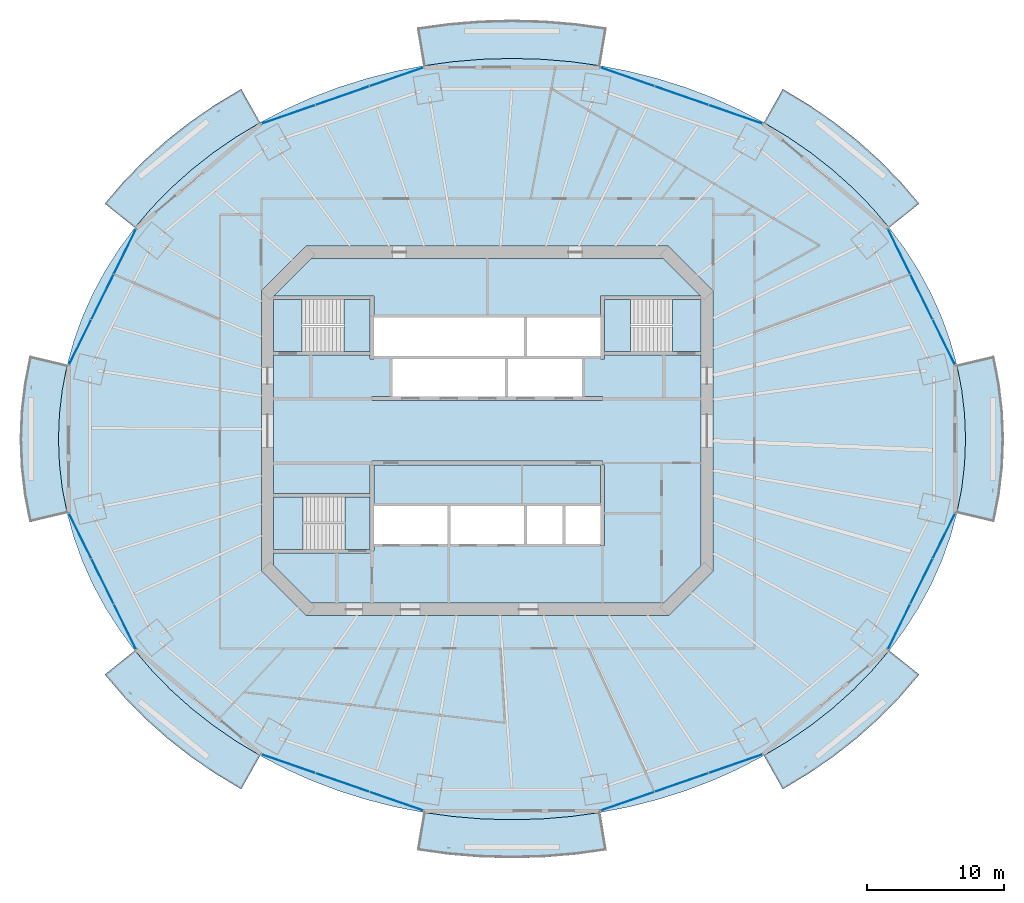
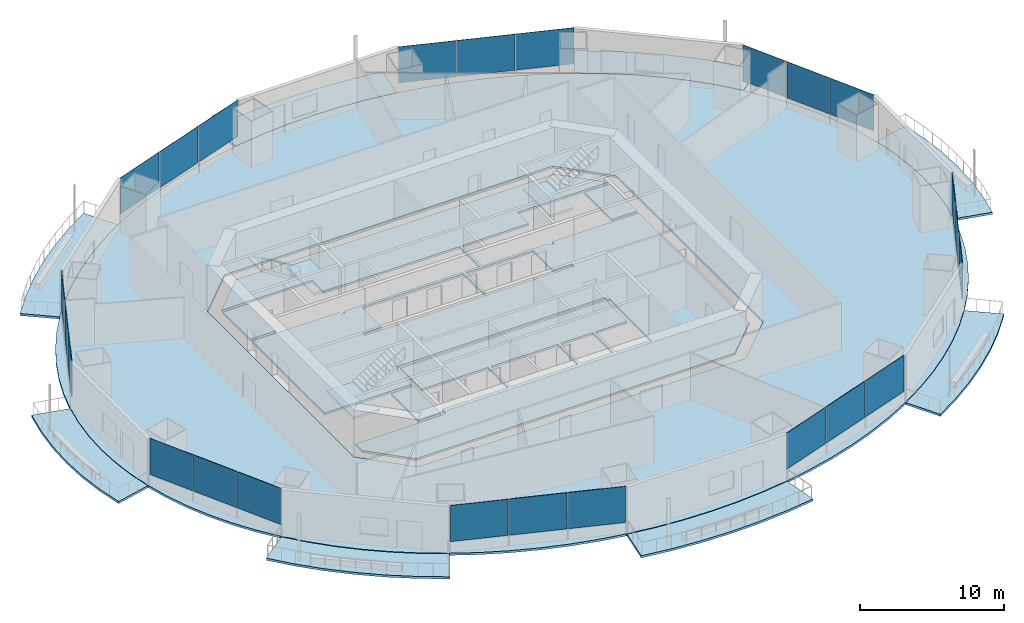
# One storey, part 11 of 21: 24 plates, 16 slabs, 11 elements without a shape of their own.
"""IFC4 building model written with IfcOpenShell, lengths in metres."""

from ifc_helpers import new_model, si_unit, direction, frame, origin, origin_2d, place, context, subcontext, project, spatial, polyline, rectangle, outline, extrude, material, layer, layer_set, type_object, element, aggregate, save


model = new_model("IFC4")

# Units and contexts
model_context = context("Model", 3, precision=1e-05, world=origin(), true_north=direction((0.0, 1.0)))
body_context = subcontext(model_context, "Body", "Model", "MODEL_VIEW")
ifc_project = project(units=[si_unit("LENGTHUNIT", "METRE"), si_unit("AREAUNIT", "SQUARE_METRE"), si_unit("VOLUMEUNIT", "CUBIC_METRE"), si_unit("PLANEANGLEUNIT", "RADIAN"), si_unit("MASSUNIT", "GRAM", prefix="KILO")], contexts=[model_context])

# Site, building, storey
site_placement = place(None, origin())
site = spatial("IfcSite", under=ifc_project, at=site_placement, CompositionType="ELEMENT")
building_placement = place(site_placement, origin())
building = spatial("IfcBuilding", under=site, at=building_placement, Name="Marenthal Gate Tower", CompositionType="ELEMENT")
storey_placement = place(building_placement, frame((0.0, 0.0, 169.35009765625)))
storey = spatial("IfcBuildingStorey", under=building, at=storey_placement, Name="L36", CompositionType="ELEMENT", Elevation=169.35009765625)

# Slabs
ifc_material_1 = material(Name="Concrete 40 MPa", Category="concrete")
ifc_layer_1 = layer(ifc_material_1, 0.179931640625)
ifc_layer_set_1 = layer_set([ifc_layer_1], Name="Balcony deck 180")
slab_type_1 = type_object("IfcSlabType", Name="Balcony deck 180", PredefinedType="USERDEFINED", material=ifc_layer_set_1)
slab_1_placement = place(storey_placement, frame((0.0, 0.0, -0.22021484375)))
element("IfcSlab", 1, at=slab_1_placement, inside=storey, type_object=slab_type_1, Name="Balcony deck L36 bay 2", ObjectType="BALCONY", PredefinedType="USERDEFINED", context=body_context, shape_type="SweptSolid", body=[
    extrude(outline(polyline([(29.25439453125, 14.7958984375), (27.99560546875, 16.27001953125), (26.625, 17.671875), (25.14794921875, 18.995361328125), (23.57080078125, 20.235107421875), (21.900634765625, 21.385498046875), (20.144287109375, 22.441650390625), (21.513916015625, 24.8837890625), (23.416748046875, 23.739501953125), (25.230712890625, 22.489990234375), (26.947998046875, 21.14013671875), (28.56103515625, 19.69482421875), (30.062255859375, 18.159423828125), (31.44482421875, 16.5400390625), (29.25439453125, 14.7958984375)])), origin(), (0.0, 0.0, 1.0), 0.18017578125),
])
slab_2_placement = place(storey_placement, frame((0.0, 0.0, -0.22021484375)))
element("IfcSlab", 2, at=slab_2_placement, inside=storey, type_object=slab_type_1, Name="Balcony deck L36 bay 4", ObjectType="BALCONY", PredefinedType="USERDEFINED", context=body_context, shape_type="SweptSolid", body=[
    extrude(outline(polyline([(8.24169921875, 26.57958984375), (6.10986328125, 26.875), (3.95947265625, 27.052734375), (1.800048828125, 27.112060546875), (-0.359619140625, 27.052734375), (-2.509765625, 26.875), (-4.6416015625, 26.57958984375), (-5.102783203125, 29.34130859375), (-2.8173828125, 29.657958984375), (-0.51318359375, 29.848388671875), (1.800048828125, 29.912109375), (4.11328125, 29.848388671875), (6.417236328125, 29.657958984375), (8.70263671875, 29.34130859375), (8.24169921875, 26.57958984375)])), origin(), (0.0, 0.0, 1.0), 0.18017578125),
])
slab_3_placement = place(storey_placement, frame((0.0, 0.0, -0.22021484375)))
element("IfcSlab", 3, at=slab_3_placement, inside=storey, type_object=slab_type_1, Name="Balcony deck L36 bay 6", ObjectType="BALCONY", PredefinedType="USERDEFINED", context=body_context, shape_type="SweptSolid", body=[
    extrude(outline(polyline([(-16.54443359375, 22.441650390625), (-18.30078125, 21.385498046875), (-19.970947265625, 20.235107421875), (-21.548095703125, 18.995361328125), (-23.02490234375, 17.671875), (-24.395751953125, 16.27001953125), (-25.654296875, 14.7958984375), (-27.844970703125, 16.5400390625), (-26.462158203125, 18.159423828125), (-24.9609375, 19.69482421875), (-23.34814453125, 21.14013671875), (-21.630615234375, 22.489990234375), (-19.816650390625, 23.739501953125), (-17.9140625, 24.8837890625), (-16.54443359375, 22.441650390625)])), origin(), (0.0, 0.0, 1.0), 0.18017578125),
])
slab_4_placement = place(storey_placement, frame((0.0, 0.0, -0.22021484375)))
element("IfcSlab", 4, at=slab_4_placement, inside=storey, type_object=slab_type_1, Name="Balcony deck L36 bay 8", ObjectType="BALCONY", PredefinedType="USERDEFINED", context=body_context, shape_type="SweptSolid", body=[
    extrude(outline(polyline([(-30.58447265625, 4.806396484375), (-30.9365234375, 3.01708984375), (-31.148193359375, 1.21240234375), (-31.218994140625, -0.60009765625), (-31.148193359375, -2.41259765625), (-30.9365234375, -4.217041015625), (-30.58447265625, -6.00634765625), (-33.30908203125, -6.652099609375), (-33.70263671875, -4.651123046875), (-33.939697265625, -2.630615234375), (-34.01904296875, -0.60009765625), (-33.939697265625, 1.430419921875), (-33.70263671875, 3.450927734375), (-33.30908203125, 5.451904296875), (-30.58447265625, 4.806396484375)])), origin(), (0.0, 0.0, 1.0), 0.18017578125),
])
slab_5_placement = place(storey_placement, frame((0.0, 0.0, -0.22021484375)))
element("IfcSlab", 5, at=slab_5_placement, inside=storey, type_object=slab_type_1, Name="Balcony deck L36 bay 10", ObjectType="BALCONY", PredefinedType="USERDEFINED", context=body_context, shape_type="SweptSolid", body=[
    extrude(outline(polyline([(-25.654296875, -15.99609375), (-24.395751953125, -17.469970703125), (-23.02490234375, -18.871826171875), (-21.548095703125, -20.1953125), (-19.970947265625, -21.43505859375), (-18.30078125, -22.58544921875), (-16.54443359375, -23.6416015625), (-17.9140625, -26.083984375), (-19.816650390625, -24.939453125), (-21.630615234375, -23.68994140625), (-23.34814453125, -22.340087890625), (-24.9609375, -20.894775390625), (-26.462158203125, -19.359375), (-27.844970703125, -17.739990234375), (-25.654296875, -15.99609375)])), origin(), (0.0, 0.0, 1.0), 0.18017578125),
])
slab_6_placement = place(storey_placement, frame((0.0, 0.0, -0.22021484375)))
element("IfcSlab", 6, at=slab_6_placement, inside=storey, type_object=slab_type_1, Name="Balcony deck L36 bay 12", ObjectType="BALCONY", PredefinedType="USERDEFINED", context=body_context, shape_type="SweptSolid", body=[
    extrude(outline(polyline([(-4.6416015625, -27.779541015625), (-2.509765625, -28.074951171875), (-0.359619140625, -28.252685546875), (1.800048828125, -28.31201171875), (3.95947265625, -28.252685546875), (6.10986328125, -28.074951171875), (8.24169921875, -27.779541015625), (8.70263671875, -30.541259765625), (6.417236328125, -30.85791015625), (4.11328125, -31.048583984375), (1.800048828125, -31.112060546875), (-0.51318359375, -31.048583984375), (-2.8173828125, -30.85791015625), (-5.102783203125, -30.541259765625), (-4.6416015625, -27.779541015625)])), origin(), (0.0, 0.0, 1.0), 0.18017578125),
])
slab_7_placement = place(storey_placement, frame((0.0, 0.0, -0.22021484375)))
element("IfcSlab", 7, at=slab_7_placement, inside=storey, type_object=slab_type_1, Name="Balcony deck L36 bay 14", ObjectType="BALCONY", PredefinedType="USERDEFINED", context=body_context, shape_type="SweptSolid", body=[
    extrude(outline(polyline([(20.144287109375, -23.6416015625), (21.900634765625, -22.58544921875), (23.57080078125, -21.43505859375), (25.14794921875, -20.1953125), (26.625, -18.871826171875), (27.99560546875, -17.469970703125), (29.25439453125, -15.99609375), (31.44482421875, -17.739990234375), (30.062255859375, -19.359375), (28.56103515625, -20.894775390625), (26.947998046875, -22.340087890625), (25.230712890625, -23.68994140625), (23.416748046875, -24.939453125), (21.513916015625, -26.083984375), (20.144287109375, -23.6416015625)])), origin(), (0.0, 0.0, 1.0), 0.18017578125),
])
slab_8_placement = place(storey_placement, frame((0.0, 0.0, -0.22021484375)))
element("IfcSlab", 8, at=slab_8_placement, inside=storey, type_object=slab_type_1, Name="Balcony deck L36 bay 16", ObjectType="BALCONY", PredefinedType="USERDEFINED", context=body_context, shape_type="SweptSolid", body=[
    extrude(outline(polyline([(34.1845703125, -6.00634765625), (34.53662109375, -4.217041015625), (34.748291015625, -2.41259765625), (34.819091796875, -0.60009765625), (34.748291015625, 1.21240234375), (34.53662109375, 3.01708984375), (34.1845703125, 4.806396484375), (36.908935546875, 5.451904296875), (37.302734375, 3.450927734375), (37.539794921875, 1.430419921875), (37.618896484375, -0.60009765625), (37.539794921875, -2.630615234375), (37.302734375, -4.651123046875), (36.908935546875, -6.652099609375), (34.1845703125, -6.00634765625)])), origin(), (0.0, 0.0, 1.0), 0.18017578125),
])
ifc_material_2 = material(Name="Concrete 50 MPa", Category="concrete")
ifc_layer_2 = layer(ifc_material_2, 0.179931640625)
ifc_layer_set_2 = layer_set([ifc_layer_2], Name="Core floor slab 180")
slab_type_2 = type_object("IfcSlabType", Name="Core floor slab 180", PredefinedType="FLOOR", material=ifc_layer_set_2)
slab_9_placement = place(storey_placement, frame((0.0, 0.0, -0.18017578125)))
element("IfcSlab", 9, at=slab_9_placement, inside=storey, type_object=slab_type_2, Name="Core floor L36", PredefinedType="FLOOR", context=body_context, shape_type="SweptSolid", body=[
    extrude(outline(polyline([(12.813720703125, -12.550048828125), (-12.813720703125, -12.550048828125), (-15.550048828125, -9.813720703125), (-15.550048828125, -8.875), (-8.550048828125, -8.875), (-8.550048828125, -8.75), (-8.25, -8.75), (-8.25, -8.239990234375), (-5.60009765625, -8.239990234375), (-2.909912109375, -8.239990234375), (-2.909912109375, -5.4599609375), (-5.60009765625, -5.4599609375), (-8.25, -5.4599609375), (-8.25, -2.5), (8.25, -2.5), (8.25, -5.4599609375), (5.7099609375, -5.4599609375), (5.7099609375, -8.239990234375), (8.25, -8.239990234375), (8.25, -8.35009765625), (8.550048828125, -8.35009765625), (8.550048828125, -2.5), (8.39990234375, -2.5), (8.39990234375, -2.199951171875), (-8.39990234375, -2.199951171875), (-8.39990234375, -2.5), (-8.550048828125, -2.5), (-8.550048828125, -4.574951171875), (-15.550048828125, -4.574951171875), (-15.550048828125, 5.52490234375), (-8.550048828125, 5.52490234375), (-8.550048828125, 5.239990234375), (-8.25, 5.239990234375), (-8.25, 5.4599609375), (-5.60009765625, 5.4599609375), (-2.800048828125, 5.4599609375), (0.0, 5.4599609375), (2.68994140625, 5.4599609375), (2.68994140625, 8.239990234375), (0.0, 8.239990234375), (-2.800048828125, 8.239990234375), (-5.60009765625, 8.239990234375), (-8.25, 8.239990234375), (-8.25, 8.35009765625), (-8.25, 9.824951171875), (-8.550048828125, 9.824951171875), (-15.53857421875, 9.824951171875), (-12.813720703125, 12.550048828125), (12.813720703125, 12.550048828125), (15.53857421875, 9.824951171875), (8.550048828125, 9.824951171875), (8.25, 9.824951171875), (8.25, 8.35009765625), (8.25, 8.239990234375), (5.60009765625, 8.239990234375), (2.909912109375, 8.239990234375), (2.909912109375, 5.4599609375), (5.60009765625, 5.4599609375), (8.25, 5.4599609375), (8.25, 5.239990234375), (8.550048828125, 5.239990234375), (8.550048828125, 5.52490234375), (15.550048828125, 5.52490234375), (15.550048828125, -9.813720703125), (12.813720703125, -12.550048828125)]), holes=[polyline([(2.68994140625, -8.239990234375), (2.68994140625, -5.4599609375), (0.0, -5.4599609375), (-2.68994140625, -5.4599609375), (-2.68994140625, -8.239990234375), (0.0, -8.239990234375), (2.68994140625, -8.239990234375)]), polyline([(-6.889892578125, 5.239990234375), (-6.889892578125, 2.5), (-8.39990234375, 2.5), (-8.39990234375, 2.199951171875), (8.39990234375, 2.199951171875), (8.39990234375, 2.5), (6.889892578125, 2.5), (6.889892578125, 5.239990234375), (4.199951171875, 5.239990234375), (1.510009765625, 5.239990234375), (1.510009765625, 2.5), (1.2900390625, 2.5), (1.2900390625, 5.239990234375), (-1.39990234375, 5.239990234375), (-4.199951171875, 5.239990234375), (-6.889892578125, 5.239990234375)]), polyline([(5.489990234375, -8.239990234375), (5.489990234375, -5.4599609375), (2.909912109375, -5.4599609375), (2.909912109375, -8.239990234375), (5.489990234375, -8.239990234375)])]), origin(), (0.0, 0.0, 1.0), 0.18017578125),
])
slab_10_placement = place(storey_placement, frame((0.0, 0.0, -0.18017578125)))
element("IfcSlab", 10, at=slab_10_placement, inside=storey, type_object=slab_type_2, Name="Core floor L36", PredefinedType="FLOOR", context=body_context, shape_type="SweptSolid", body=[
    extrude(outline(polyline([(15.550048828125, 5.77490234375), (13.5, 5.77490234375), (13.5, 9.574951171875), (15.550048828125, 9.574951171875), (15.550048828125, 5.77490234375)])), origin(), (0.0, 0.0, 1.0), 0.18017578125),
])
slab_11_placement = place(storey_placement, frame((0.0, 0.0, -0.18017578125)))
element("IfcSlab", 11, at=slab_11_placement, inside=storey, type_object=slab_type_2, Name="Core floor L36", PredefinedType="FLOOR", context=body_context, shape_type="SweptSolid", body=[
    extrude(outline(polyline([(-15.550048828125, 9.574951171875), (-13.5, 9.574951171875), (-13.5, 5.77490234375), (-15.550048828125, 5.77490234375), (-15.550048828125, 9.574951171875)])), origin(), (0.0, 0.0, 1.0), 0.18017578125),
])
slab_12_placement = place(storey_placement, frame((0.0, 0.0, -0.18017578125)))
element("IfcSlab", 12, at=slab_12_placement, inside=storey, type_object=slab_type_2, Name="Core floor L36", PredefinedType="FLOOR", context=body_context, shape_type="SweptSolid", body=[
    extrude(outline(polyline([(-8.550048828125, -8.625), (-10.35009765625, -8.625), (-10.35009765625, -4.824951171875), (-8.550048828125, -4.824951171875), (-8.550048828125, -8.625)])), origin(), (0.0, 0.0, 1.0), 0.18017578125),
])
ifc_material_3 = material(Name="Concrete 35 MPa", Category="concrete")
ifc_layer_3 = layer(ifc_material_3, 0.179931640625)
ifc_layer_set_3 = layer_set([ifc_layer_3], Name="Floor slab 180")
slab_type_3 = type_object("IfcSlabType", Name="Floor slab 180", PredefinedType="FLOOR", material=ifc_layer_set_3)
slab_13_placement = place(storey_placement, frame((0.0, 0.0, -0.18017578125)))
element("IfcSlab", 13, at=slab_13_placement, inside=storey, type_object=slab_type_3, Name="SL-L36-01", PredefinedType="FLOOR", context=body_context, shape_type="SweptSolid", body=[
    extrude(outline(polyline([(34.819091796875, -0.60009765625), (34.748291015625, 1.21240234375), (34.53662109375, 3.01708984375), (34.1845703125, 4.806396484375), (33.69384765625, 6.572509765625), (33.066650390625, 8.3076171875), (32.3056640625, 10.0048828125), (31.413818359375, 11.65673828125), (30.395263671875, 13.256103515625), (29.25439453125, 14.7958984375), (27.99560546875, 16.27001953125), (26.625, 17.671875), (25.14794921875, 18.995361328125), (23.57080078125, 20.235107421875), (21.900634765625, 21.385498046875), (20.144287109375, 22.441650390625), (18.3095703125, 23.3994140625), (16.40380859375, 24.254150390625), (14.435791015625, 25.00244140625), (12.41357421875, 25.641357421875), (10.345947265625, 26.167724609375), (8.24169921875, 26.57958984375), (6.10986328125, 26.875), (3.95947265625, 27.052734375), (1.800048828125, 27.112060546875), (-0.359619140625, 27.052734375), (-2.509765625, 26.875), (-4.6416015625, 26.57958984375), (-6.745849609375, 26.167724609375), (-8.813720703125, 25.641357421875), (-10.835693359375, 25.00244140625), (-12.803955078125, 24.254150390625), (-14.70947265625, 23.3994140625), (-16.54443359375, 22.441650390625), (-18.30078125, 21.385498046875), (-19.970947265625, 20.235107421875), (-21.548095703125, 18.995361328125), (-23.02490234375, 17.671875), (-24.395751953125, 16.27001953125), (-25.654296875, 14.7958984375), (-26.79541015625, 13.256103515625), (-27.813720703125, 11.65673828125), (-28.70556640625, 10.0048828125), (-29.466796875, 8.3076171875), (-30.093994140625, 6.572509765625), (-30.58447265625, 4.806396484375), (-30.9365234375, 3.01708984375), (-31.148193359375, 1.21240234375), (-31.218994140625, -0.60009765625), (-31.148193359375, -2.41259765625), (-30.9365234375, -4.217041015625), (-30.58447265625, -6.00634765625), (-30.093994140625, -7.7724609375), (-29.466796875, -9.5078125), (-28.70556640625, -11.204833984375), (-27.813720703125, -12.856689453125), (-26.79541015625, -14.4560546875), (-25.654296875, -15.99609375), (-24.395751953125, -17.469970703125), (-23.02490234375, -18.871826171875), (-21.548095703125, -20.1953125), (-19.970947265625, -21.43505859375), (-18.30078125, -22.58544921875), (-16.54443359375, -23.6416015625), (-14.70947265625, -24.599365234375), (-12.803955078125, -25.4541015625), (-10.835693359375, -26.202392578125), (-8.813720703125, -26.84130859375), (-6.745849609375, -27.36767578125), (-4.6416015625, -27.779541015625), (-2.509765625, -28.074951171875), (-0.359619140625, -28.252685546875), (1.800048828125, -28.31201171875), (3.95947265625, -28.252685546875), (6.10986328125, -28.074951171875), (8.24169921875, -27.779541015625), (10.345947265625, -27.36767578125), (12.41357421875, -26.84130859375), (14.435791015625, -26.202392578125), (16.40380859375, -25.4541015625), (18.3095703125, -24.599365234375), (20.144287109375, -23.6416015625), (21.900634765625, -22.58544921875), (23.57080078125, -21.43505859375), (25.14794921875, -20.1953125), (26.625, -18.871826171875), (27.99560546875, -17.469970703125), (29.25439453125, -15.99609375), (30.395263671875, -14.4560546875), (31.413818359375, -12.856689453125), (32.3056640625, -11.204833984375), (33.066650390625, -9.5078125), (33.69384765625, -7.7724609375), (34.1845703125, -6.00634765625), (34.53662109375, -4.217041015625), (34.748291015625, -2.41259765625), (34.819091796875, -0.60009765625)]), holes=[polyline([(13.186279296875, -13.449951171875), (16.449951171875, -10.186279296875), (16.449951171875, 10.186279296875), (13.186279296875, 13.449951171875), (-13.186279296875, 13.449951171875), (-16.449951171875, 10.186279296875), (-16.449951171875, -10.186279296875), (-13.186279296875, -13.449951171875), (13.186279296875, -13.449951171875)])]), origin(), (0.0, 0.0, 1.0), 0.18017578125),
])

# Curtain wall, plates
ifc_material_4 = material(Name="Aluminium and glass", Category="aluminium")
curtain_wall_type = type_object("IfcCurtainWallType", Name="Curtain wall typical mid", PredefinedType="NOTDEFINED", material=ifc_material_4)
curtain_wall_1_placement = place(storey_placement, origin())
curtain_wall_1 = element("IfcCurtainWall", 14, at=curtain_wall_1_placement, inside=storey, type_object=curtain_wall_type, Name="Curtain wall L36 bay 1", PredefinedType="NOTDEFINED")
ifc_material_5 = material(Name="Glass, laminated insulating unit", Category="glass")
ifc_layer_4 = layer(ifc_material_5, 0.030029296875)
ifc_layer_set_4 = layer_set([ifc_layer_4], Name="Glass panel 30 typical mid")
plate_type = type_object("IfcPlateType", Name="Glass panel 30 typical mid", PredefinedType="CURTAIN_PANEL", material=ifc_layer_set_4)
plate_1_placement = place(storey_placement, frame((33.2392578125, 6.45849609375, 0.89990234375), z_axis=(0.0, 0.0, 1.0), x_axis=(-0.442823615536, 0.896608747182, 0.0)))
plate_1 = element("IfcPlate", 15, at=plate_1_placement, type_object=plate_type, Name="Glass panel L36 bay 1.1", PredefinedType="CURTAIN_PANEL", context=body_context, shape_type="SweptSolid", body=[
    extrude(rectangle(XDim=3.617919921875, YDim=0.030029296875, at=origin_2d()), origin(), (0.0, 0.0, 1.0), 3.070068359375),
])
plate_2_placement = place(storey_placement, frame((31.610595703125, 9.756103515625, 0.89990234375), z_axis=(0.0, 0.0, 1.0), x_axis=(-0.442823615536, 0.896608747182, 0.0)))
plate_2 = element("IfcPlate", 16, at=plate_2_placement, type_object=plate_type, Name="Glass panel L36 bay 1.2", PredefinedType="CURTAIN_PANEL", context=body_context, shape_type="SweptSolid", body=[
    extrude(rectangle(XDim=3.617919921875, YDim=0.030029296875, at=origin_2d()), origin(), (0.0, 0.0, 1.0), 3.070068359375),
])
plate_3_placement = place(storey_placement, frame((29.982177734375, 13.0537109375, 0.89990234375), z_axis=(0.0, 0.0, 1.0), x_axis=(-0.442823615536, 0.896608747182, 0.0)))
plate_3 = element("IfcPlate", 17, at=plate_3_placement, type_object=plate_type, Name="Glass panel L36 bay 1.3", PredefinedType="CURTAIN_PANEL", context=body_context, shape_type="SweptSolid", body=[
    extrude(rectangle(XDim=3.617919921875, YDim=0.030029296875, at=origin_2d()), origin(), (0.0, 0.0, 1.0), 3.070068359375),
])
aggregate(curtain_wall_1, [plate_1, plate_2, plate_3])

curtain_wall_2_placement = place(storey_placement, origin())
curtain_wall_2 = element("IfcCurtainWall", 18, at=curtain_wall_2_placement, inside=storey, type_object=curtain_wall_type, Name="Curtain wall L36 bay 3", PredefinedType="NOTDEFINED")
plate_4_placement = place(storey_placement, frame((18.082275390625, 23.03515625, 0.89990234375), z_axis=(0.0, 0.0, 1.0), x_axis=(-0.944622987868, 0.328157600538, 0.0)))
plate_4 = element("IfcPlate", 19, at=plate_4_placement, type_object=plate_type, Name="Glass panel L36 bay 3.1", PredefinedType="CURTAIN_PANEL", context=body_context, shape_type="SweptSolid", body=[
    extrude(rectangle(XDim=4.10498046875, YDim=0.030029296875, at=origin_2d()), origin(), (0.0, 0.0, 1.0), 3.070068359375),
])
plate_5_placement = place(storey_placement, frame((14.14794921875, 24.40185546875, 0.89990234375), z_axis=(0.0, 0.0, 1.0), x_axis=(-0.944622987868, 0.328157600538, 0.0)))
plate_5 = element("IfcPlate", 20, at=plate_5_placement, type_object=plate_type, Name="Glass panel L36 bay 3.2", PredefinedType="CURTAIN_PANEL", context=body_context, shape_type="SweptSolid", body=[
    extrude(rectangle(XDim=4.10498046875, YDim=0.030029296875, at=origin_2d()), origin(), (0.0, 0.0, 1.0), 3.070068359375),
])
plate_6_placement = place(storey_placement, frame((10.2138671875, 25.7685546875, 0.89990234375), z_axis=(0.0, 0.0, 1.0), x_axis=(-0.944622987868, 0.328157600538, 0.0)))
plate_6 = element("IfcPlate", 21, at=plate_6_placement, type_object=plate_type, Name="Glass panel L36 bay 3.3", PredefinedType="CURTAIN_PANEL", context=body_context, shape_type="SweptSolid", body=[
    extrude(rectangle(XDim=4.104736328125, YDim=0.030029296875, at=origin_2d()), origin(), (0.0, 0.0, 1.0), 3.070068359375),
])
aggregate(curtain_wall_2, [plate_4, plate_5, plate_6])

curtain_wall_3_placement = place(storey_placement, origin())
curtain_wall_3 = element("IfcCurtainWall", 22, at=curtain_wall_3_placement, inside=storey, type_object=curtain_wall_type, Name="Curtain wall L36 bay 5", PredefinedType="NOTDEFINED")
plate_7_placement = place(storey_placement, frame((-6.61376953125, 25.7685546875, 0.89990234375), z_axis=(0.0, 0.0, 1.0), x_axis=(-0.944622987868, -0.328157600538, 0.0)))
plate_7 = element("IfcPlate", 23, at=plate_7_placement, type_object=plate_type, Name="Glass panel L36 bay 5.1", PredefinedType="CURTAIN_PANEL", context=body_context, shape_type="SweptSolid", body=[
    extrude(rectangle(XDim=4.10498046875, YDim=0.030029296875, at=origin_2d()), origin(), (0.0, 0.0, 1.0), 3.070068359375),
])
plate_8_placement = place(storey_placement, frame((-10.548095703125, 24.40185546875, 0.89990234375), z_axis=(0.0, 0.0, 1.0), x_axis=(-0.944622987868, -0.328157600538, 0.0)))
plate_8 = element("IfcPlate", 24, at=plate_8_placement, type_object=plate_type, Name="Glass panel L36 bay 5.2", PredefinedType="CURTAIN_PANEL", context=body_context, shape_type="SweptSolid", body=[
    extrude(rectangle(XDim=4.10498046875, YDim=0.030029296875, at=origin_2d()), origin(), (0.0, 0.0, 1.0), 3.070068359375),
])
plate_9_placement = place(storey_placement, frame((-14.482177734375, 23.03515625, 0.89990234375), z_axis=(0.0, 0.0, 1.0), x_axis=(-0.944622987868, -0.328157600538, 0.0)))
plate_9 = element("IfcPlate", 25, at=plate_9_placement, type_object=plate_type, Name="Glass panel L36 bay 5.3", PredefinedType="CURTAIN_PANEL", context=body_context, shape_type="SweptSolid", body=[
    extrude(rectangle(XDim=4.104736328125, YDim=0.030029296875, at=origin_2d()), origin(), (0.0, 0.0, 1.0), 3.070068359375),
])
aggregate(curtain_wall_3, [plate_7, plate_8, plate_9])

curtain_wall_4_placement = place(storey_placement, origin())
curtain_wall_4 = element("IfcCurtainWall", 26, at=curtain_wall_4_placement, inside=storey, type_object=curtain_wall_type, Name="Curtain wall L36 bay 7", PredefinedType="NOTDEFINED")
plate_10_placement = place(storey_placement, frame((-26.382080078125, 13.0537109375, 0.89990234375), z_axis=(0.0, 0.0, 1.0), x_axis=(-0.442823615536, -0.896608747182, 0.0)))
plate_10 = element("IfcPlate", 27, at=plate_10_placement, type_object=plate_type, Name="Glass panel L36 bay 7.1", PredefinedType="CURTAIN_PANEL", context=body_context, shape_type="SweptSolid", body=[
    extrude(rectangle(XDim=3.617919921875, YDim=0.030029296875, at=origin_2d()), origin(), (0.0, 0.0, 1.0), 3.070068359375),
])
plate_11_placement = place(storey_placement, frame((-28.0107421875, 9.756103515625, 0.89990234375), z_axis=(0.0, 0.0, 1.0), x_axis=(-0.442823615536, -0.896608747182, 0.0)))
plate_11 = element("IfcPlate", 28, at=plate_11_placement, type_object=plate_type, Name="Glass panel L36 bay 7.2", PredefinedType="CURTAIN_PANEL", context=body_context, shape_type="SweptSolid", body=[
    extrude(rectangle(XDim=3.617919921875, YDim=0.030029296875, at=origin_2d()), origin(), (0.0, 0.0, 1.0), 3.070068359375),
])
plate_12_placement = place(storey_placement, frame((-29.639404296875, 6.45849609375, 0.89990234375), z_axis=(0.0, 0.0, 1.0), x_axis=(-0.442823615536, -0.896608747182, 0.0)))
plate_12 = element("IfcPlate", 29, at=plate_12_placement, type_object=plate_type, Name="Glass panel L36 bay 7.3", PredefinedType="CURTAIN_PANEL", context=body_context, shape_type="SweptSolid", body=[
    extrude(rectangle(XDim=3.617919921875, YDim=0.030029296875, at=origin_2d()), origin(), (0.0, 0.0, 1.0), 3.070068359375),
])
aggregate(curtain_wall_4, [plate_10, plate_11, plate_12])

curtain_wall_5_placement = place(storey_placement, origin())
curtain_wall_5 = element("IfcCurtainWall", 30, at=curtain_wall_5_placement, inside=storey, type_object=curtain_wall_type, Name="Curtain wall L36 bay 9", PredefinedType="NOTDEFINED")
plate_13_placement = place(storey_placement, frame((-29.639404296875, -7.65869140625, 0.89990234375), z_axis=(0.0, 0.0, 1.0), x_axis=(0.442823615536, -0.896608747182, 0.0)))
plate_13 = element("IfcPlate", 31, at=plate_13_placement, type_object=plate_type, Name="Glass panel L36 bay 9.1", PredefinedType="CURTAIN_PANEL", context=body_context, shape_type="SweptSolid", body=[
    extrude(rectangle(XDim=3.617919921875, YDim=0.030029296875, at=origin_2d()), origin(), (0.0, 0.0, 1.0), 3.070068359375),
])
plate_14_placement = place(storey_placement, frame((-28.0107421875, -10.9560546875, 0.89990234375), z_axis=(0.0, 0.0, 1.0), x_axis=(0.442823615536, -0.896608747182, 0.0)))
plate_14 = element("IfcPlate", 32, at=plate_14_placement, type_object=plate_type, Name="Glass panel L36 bay 9.2", PredefinedType="CURTAIN_PANEL", context=body_context, shape_type="SweptSolid", body=[
    extrude(rectangle(XDim=3.617919921875, YDim=0.030029296875, at=origin_2d()), origin(), (0.0, 0.0, 1.0), 3.070068359375),
])
plate_15_placement = place(storey_placement, frame((-26.382080078125, -14.253662109375, 0.89990234375), z_axis=(0.0, 0.0, 1.0), x_axis=(0.442823615536, -0.896608747182, 0.0)))
plate_15 = element("IfcPlate", 33, at=plate_15_placement, type_object=plate_type, Name="Glass panel L36 bay 9.3", PredefinedType="CURTAIN_PANEL", context=body_context, shape_type="SweptSolid", body=[
    extrude(rectangle(XDim=3.617919921875, YDim=0.030029296875, at=origin_2d()), origin(), (0.0, 0.0, 1.0), 3.070068359375),
])
aggregate(curtain_wall_5, [plate_13, plate_14, plate_15])

curtain_wall_6_placement = place(storey_placement, origin())
curtain_wall_6 = element("IfcCurtainWall", 34, at=curtain_wall_6_placement, inside=storey, type_object=curtain_wall_type, Name="Curtain wall L36 bay 11", PredefinedType="NOTDEFINED")
plate_16_placement = place(storey_placement, frame((-14.482177734375, -24.235107421875, 0.89990234375), z_axis=(0.0, 0.0, 1.0), x_axis=(0.944622987868, -0.328157600538, 0.0)))
plate_16 = element("IfcPlate", 35, at=plate_16_placement, type_object=plate_type, Name="Glass panel L36 bay 11.1", PredefinedType="CURTAIN_PANEL", context=body_context, shape_type="SweptSolid", body=[
    extrude(rectangle(XDim=4.10498046875, YDim=0.030029296875, at=origin_2d()), origin(), (0.0, 0.0, 1.0), 3.070068359375),
])
plate_17_placement = place(storey_placement, frame((-10.5478515625, -25.601806640625, 0.89990234375), z_axis=(0.0, 0.0, 1.0), x_axis=(0.944622987868, -0.328157600538, 0.0)))
plate_17 = element("IfcPlate", 36, at=plate_17_placement, type_object=plate_type, Name="Glass panel L36 bay 11.2", PredefinedType="CURTAIN_PANEL", context=body_context, shape_type="SweptSolid", body=[
    extrude(rectangle(XDim=4.10498046875, YDim=0.030029296875, at=origin_2d()), origin(), (0.0, 0.0, 1.0), 3.070068359375),
])
plate_18_placement = place(storey_placement, frame((-6.61376953125, -26.968505859375, 0.89990234375), z_axis=(0.0, 0.0, 1.0), x_axis=(0.944622987868, -0.328157600538, 0.0)))
plate_18 = element("IfcPlate", 37, at=plate_18_placement, type_object=plate_type, Name="Glass panel L36 bay 11.3", PredefinedType="CURTAIN_PANEL", context=body_context, shape_type="SweptSolid", body=[
    extrude(rectangle(XDim=4.104736328125, YDim=0.030029296875, at=origin_2d()), origin(), (0.0, 0.0, 1.0), 3.070068359375),
])
aggregate(curtain_wall_6, [plate_16, plate_17, plate_18])

curtain_wall_7_placement = place(storey_placement, origin())
curtain_wall_7 = element("IfcCurtainWall", 38, at=curtain_wall_7_placement, inside=storey, type_object=curtain_wall_type, Name="Curtain wall L36 bay 13", PredefinedType="NOTDEFINED")
plate_19_placement = place(storey_placement, frame((10.2138671875, -26.968505859375, 0.89990234375), z_axis=(0.0, 0.0, 1.0), x_axis=(0.944622987868, 0.328157600538, 0.0)))
plate_19 = element("IfcPlate", 39, at=plate_19_placement, type_object=plate_type, Name="Glass panel L36 bay 13.1", PredefinedType="CURTAIN_PANEL", context=body_context, shape_type="SweptSolid", body=[
    extrude(rectangle(XDim=4.10498046875, YDim=0.030029296875, at=origin_2d()), origin(), (0.0, 0.0, 1.0), 3.070068359375),
])
plate_20_placement = place(storey_placement, frame((14.14794921875, -25.601806640625, 0.89990234375), z_axis=(0.0, 0.0, 1.0), x_axis=(0.944622987868, 0.328157600538, 0.0)))
plate_20 = element("IfcPlate", 40, at=plate_20_placement, type_object=plate_type, Name="Glass panel L36 bay 13.2", PredefinedType="CURTAIN_PANEL", context=body_context, shape_type="SweptSolid", body=[
    extrude(rectangle(XDim=4.10498046875, YDim=0.030029296875, at=origin_2d()), origin(), (0.0, 0.0, 1.0), 3.070068359375),
])
plate_21_placement = place(storey_placement, frame((18.082275390625, -24.235107421875, 0.89990234375), z_axis=(0.0, 0.0, 1.0), x_axis=(0.944622987868, 0.328157600538, 0.0)))
plate_21 = element("IfcPlate", 41, at=plate_21_placement, type_object=plate_type, Name="Glass panel L36 bay 13.3", PredefinedType="CURTAIN_PANEL", context=body_context, shape_type="SweptSolid", body=[
    extrude(rectangle(XDim=4.104736328125, YDim=0.030029296875, at=origin_2d()), origin(), (0.0, 0.0, 1.0), 3.070068359375),
])
aggregate(curtain_wall_7, [plate_19, plate_20, plate_21])

curtain_wall_8_placement = place(storey_placement, origin())
curtain_wall_8 = element("IfcCurtainWall", 42, at=curtain_wall_8_placement, inside=storey, type_object=curtain_wall_type, Name="Curtain wall L36 bay 15", PredefinedType="NOTDEFINED")
plate_22_placement = place(storey_placement, frame((29.982177734375, -14.253662109375, 0.89990234375), z_axis=(0.0, 0.0, 1.0), x_axis=(0.442823615536, 0.896608747182, 0.0)))
plate_22 = element("IfcPlate", 43, at=plate_22_placement, type_object=plate_type, Name="Glass panel L36 bay 15.1", PredefinedType="CURTAIN_PANEL", context=body_context, shape_type="SweptSolid", body=[
    extrude(rectangle(XDim=3.617919921875, YDim=0.030029296875, at=origin_2d()), origin(), (0.0, 0.0, 1.0), 3.070068359375),
])
plate_23_placement = place(storey_placement, frame((31.610595703125, -10.9560546875, 0.89990234375), z_axis=(0.0, 0.0, 1.0), x_axis=(0.442823615536, 0.896608747182, 0.0)))
plate_23 = element("IfcPlate", 44, at=plate_23_placement, type_object=plate_type, Name="Glass panel L36 bay 15.2", PredefinedType="CURTAIN_PANEL", context=body_context, shape_type="SweptSolid", body=[
    extrude(rectangle(XDim=3.617919921875, YDim=0.030029296875, at=origin_2d()), origin(), (0.0, 0.0, 1.0), 3.070068359375),
])
plate_24_placement = place(storey_placement, frame((33.2392578125, -7.658447265625, 0.89990234375), z_axis=(0.0, 0.0, 1.0), x_axis=(0.442823615536, 0.896608747182, 0.0)))
plate_24 = element("IfcPlate", 45, at=plate_24_placement, type_object=plate_type, Name="Glass panel L36 bay 15.3", PredefinedType="CURTAIN_PANEL", context=body_context, shape_type="SweptSolid", body=[
    extrude(rectangle(XDim=3.617919921875, YDim=0.030029296875, at=origin_2d()), origin(), (0.0, 0.0, 1.0), 3.070068359375),
])
aggregate(curtain_wall_8, [plate_22, plate_23, plate_24])

# Stair, slab
ifc_material_6 = material(Name="Concrete 40 MPa", Category="concrete")
stair_type = type_object("IfcStairType", Name="Exit stair 1800", PredefinedType="HALF_TURN_STAIR", material=ifc_material_6)
stair_1_placement = place(storey_placement, origin())
stair_1 = element("IfcStair", 46, at=stair_1_placement, inside=storey, type_object=stair_type, Name="Stair ST1", PredefinedType="HALF_TURN_STAIR")
ifc_material_7 = material(Name="Concrete 40 MPa", Category="concrete")
ifc_layer_5 = layer(ifc_material_7, 0.199951171875)
ifc_layer_set_5 = layer_set([ifc_layer_5], Name="Stair landing 200")
slab_type_4 = type_object("IfcSlabType", Name="Stair landing 200", PredefinedType="LANDING", material=ifc_layer_set_5)
slab_14_placement = place(storey_placement, frame((0.0, 0.0, 1.875)))
slab_14 = element("IfcSlab", 47, at=slab_14_placement, type_object=slab_type_4, Name="ST1 landing 1", PredefinedType="LANDING", context=body_context, shape_type="SweptSolid", body=[
    extrude(outline(polyline([(-10.419921875, 5.77490234375), (-8.550048828125, 5.77490234375), (-8.550048828125, 9.574951171875), (-10.419921875, 9.574951171875), (-10.419921875, 5.77490234375)])), origin(), (0.0, 0.0, 1.0), 0.199951171875),
])
aggregate(stair_1, [slab_14])

stair_2_placement = place(storey_placement, origin())
stair_2 = element("IfcStair", 48, at=stair_2_placement, inside=storey, type_object=stair_type, Name="Stair ST2", PredefinedType="HALF_TURN_STAIR")
slab_15_placement = place(storey_placement, frame((0.0, 0.0, 1.875)))
slab_15 = element("IfcSlab", 49, at=slab_15_placement, type_object=slab_type_4, Name="ST2 landing 1", PredefinedType="LANDING", context=body_context, shape_type="SweptSolid", body=[
    extrude(outline(polyline([(-15.550048828125, -8.625), (-13.429931640625, -8.625), (-13.429931640625, -4.824951171875), (-15.550048828125, -4.824951171875), (-15.550048828125, -8.625)])), origin(), (0.0, 0.0, 1.0), 0.199951171875),
])
aggregate(stair_2, [slab_15])

stair_3_placement = place(storey_placement, origin())
stair_3 = element("IfcStair", 50, at=stair_3_placement, inside=storey, type_object=stair_type, Name="Stair ST3", PredefinedType="HALF_TURN_STAIR")
slab_16_placement = place(storey_placement, frame((0.0, 0.0, 1.875)))
slab_16 = element("IfcSlab", 51, at=slab_16_placement, type_object=slab_type_4, Name="ST3 landing 1", PredefinedType="LANDING", context=body_context, shape_type="SweptSolid", body=[
    extrude(outline(polyline([(8.550048828125, 5.77490234375), (10.419921875, 5.77490234375), (10.419921875, 9.574951171875), (8.550048828125, 9.574951171875), (8.550048828125, 5.77490234375)])), origin(), (0.0, 0.0, 1.0), 0.199951171875),
])
aggregate(stair_3, [slab_16])

save(model, "model.ifc")
